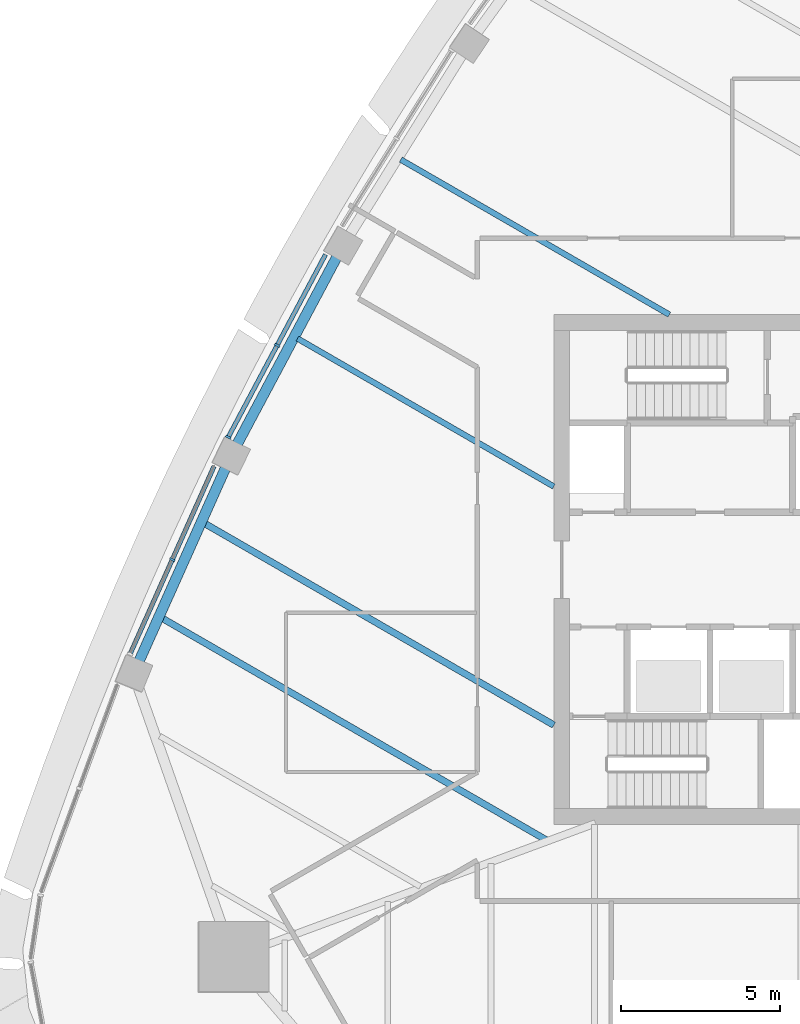
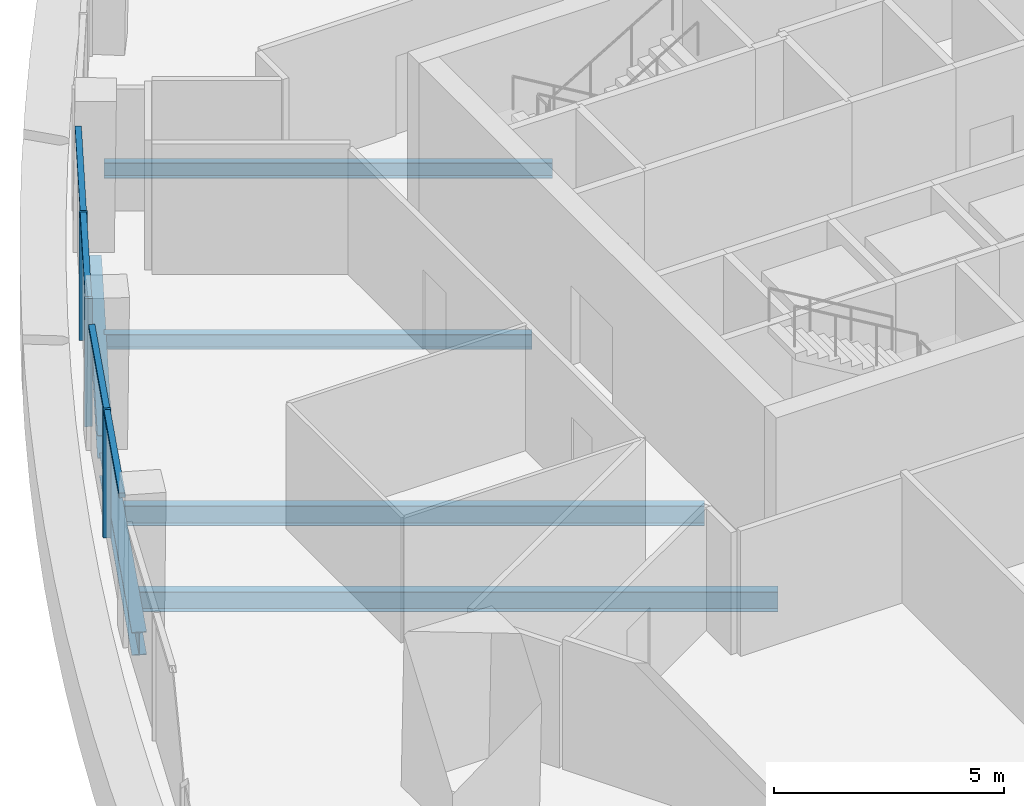
# One storey, part 3 of 20: 7 members, 6 beams, 2 elements without a shape of their own.
"""IFC4 building model written with IfcOpenShell, lengths in metres."""

import ifcopenshell
import ifcopenshell.guid

model = None  # the IFC model being written
_history = None  # IfcOwnerHistory: only IFC2X3 demands one
_inside = {}  # id of a spatial element -> (the spatial element, [elements in it])
_under = {}  # id of a project, library or spatial element -> (it, [spatial elements below it])
_declared = {}  # id of a project -> (the project, [libraries it declares])
_typed = {}  # id of a type object -> (the type object, [elements of that type])
_made_of = {}  # id of a material, layer set ... -> (it, [elements and type objects made of it])


def new_model(schema):
    """Start an empty IFC model of exactly this schema.

    Asked for "IFC4X3", IfcOpenShell would pick the latest addendum, in which some entities
    have other attributes; the version numbers below select the first issue.
    IFC2X3 requires an IfcOwnerHistory on every rooted entity: one is made here for all.
    """
    global model, _history
    if schema == "IFC4X3":
        model = ifcopenshell.file(schema_version=(4, 3, 0, 0))
    else:
        model = ifcopenshell.file(schema=schema)
    _inside.clear()
    _under.clear()
    _declared.clear()
    _typed.clear()
    _made_of.clear()
    _history = None
    if model.schema == "IFC2X3":
        org = make("IfcOrganization", Name="unknown")
        user = make(
            "IfcPersonAndOrganization",
            ThePerson=make("IfcPerson", FamilyName="unknown"),
            TheOrganization=org,
        )
        app = make(
            "IfcApplication",
            ApplicationDeveloper=org,
            Version="unknown",
            ApplicationFullName="unknown",
            ApplicationIdentifier="unknown",
        )
        _history = make(
            "IfcOwnerHistory",
            OwningUser=user,
            OwningApplication=app,
            ChangeAction="ADDED",
            CreationDate=0,
        )
    return model


def make(cls, **values):
    """One entity of the class cls with the attributes given. An attribute that is None is left unset."""
    return model.create_entity(
        cls, **{name: value for name, value in values.items() if value is not None}
    )


def rooted(cls, **values):
    """An entity with a GlobalId (a new one), such as an element, a storey or a relation."""
    return make(cls, GlobalId=ifcopenshell.guid.new(), OwnerHistory=_history, **values)


def si_unit(unit_type, name, prefix=None):
    """IfcSIUnit, for example si_unit("LENGTHUNIT", "METRE", prefix="MILLI")."""
    return make("IfcSIUnit", UnitType=unit_type, Prefix=prefix, Name=name)


def assignment(units):
    """IfcUnitAssignment: the units of a project."""
    return None if units is None else make("IfcUnitAssignment", Units=units)


def point(xyz):
    """IfcCartesianPoint."""
    return None if xyz is None else make("IfcCartesianPoint", Coordinates=xyz)


def direction(xyz):
    """IfcDirection."""
    return None if xyz is None else make("IfcDirection", DirectionRatios=xyz)


def frame(location, z_axis=None, x_axis=None):
    """IfcAxis2Placement3D, a coordinate frame: its origin and axes. An axis left out is left unset."""
    return make(
        "IfcAxis2Placement3D",
        Location=point(location),
        Axis=direction(z_axis),
        RefDirection=direction(x_axis),
    )


def frame_2d(location, x_axis=None):
    """IfcAxis2Placement2D, a coordinate frame in the plane: its origin and x axis."""
    return make(
        "IfcAxis2Placement2D", Location=point(location), RefDirection=direction(x_axis)
    )


def origin():
    """The frame at (0, 0, 0) with its axes left unset."""
    return frame((0.0, 0.0, 0.0))


def origin_2d():
    """The frame at (0, 0) in the plane with its x axis left unset."""
    return frame_2d((0.0, 0.0))


def place(relative_to, where):
    """IfcLocalPlacement: puts the frame where relative to a parent placement (None: the world)."""
    return make(
        "IfcLocalPlacement", PlacementRelTo=relative_to, RelativePlacement=where
    )


def context(
    kind, dimensions, precision=None, world=None, true_north=None, identifier=None
):
    """IfcGeometricRepresentationContext, for example the 3D "Model" context."""
    return make(
        "IfcGeometricRepresentationContext",
        ContextIdentifier=identifier,
        ContextType=kind,
        CoordinateSpaceDimension=dimensions,
        Precision=precision,
        WorldCoordinateSystem=world,
        TrueNorth=true_north,
    )


def subcontext(parent, identifier, kind, view, scale=None):
    """IfcGeometricRepresentationSubContext, for example "Body" below "Model"."""
    return make(
        "IfcGeometricRepresentationSubContext",
        ContextIdentifier=identifier,
        ContextType=kind,
        ParentContext=parent,
        TargetScale=scale,
        TargetView=view,
    )


def project(units=None, contexts=None):
    """IfcProject with its units and contexts."""
    return rooted(
        "IfcProject",
        Name="project",
        RepresentationContexts=contexts,
        UnitsInContext=assignment(units),
    )


def spatial(cls, under=None, at=None, **own):
    """A site, building, storey or space (cls), placed at a placement, below another one or the project."""
    s = rooted(cls, ObjectPlacement=at, **own)
    if under is not None:
        _under.setdefault(under.id(), (under, []))[1].append(s)
    return s


def profile(cls, at=None, kind="AREA", **sizes):
    """A parametric profile (cls). Its sizes go by their IFC names, for example OverallWidth=200.0."""
    return make(cls, ProfileType=kind, Position=at, **sizes)


def rectangle(**sizes):
    """IfcRectangleProfileDef."""
    return profile("IfcRectangleProfileDef", **sizes)


def i_section(**sizes):
    """IfcIShapeProfileDef."""
    return profile("IfcIShapeProfileDef", **sizes)


def extrude(swept, where, along, depth):
    """IfcExtrudedAreaSolid: the profile swept, set in the frame where, extruded along a direction by depth."""
    return make(
        "IfcExtrudedAreaSolid",
        SweptArea=swept,
        Position=where,
        ExtrudedDirection=direction(along),
        Depth=depth,
    )


def shape(context_of_items, identifier, shape_type, items):
    """IfcShapeRepresentation: the items that make up one representation, for example the "Body"."""
    return make(
        "IfcShapeRepresentation",
        ContextOfItems=context_of_items,
        RepresentationIdentifier=identifier,
        RepresentationType=shape_type,
        Items=items,
    )


def material(Name=None, Category=None):
    """IfcMaterial."""
    return make("IfcMaterial", Name=Name, Category=Category)


def layer(
    of_material, thickness, ventilated=None, Name=None, Category=None, Priority=None
):
    """IfcMaterialLayer: one layer of a wall or slab, of a material (None: an air gap)."""
    return make(
        "IfcMaterialLayer",
        Material=of_material,
        LayerThickness=thickness,
        IsVentilated=ventilated,
        Name=Name,
        Category=Category,
        Priority=Priority,
    )


def layer_set(layers, Name=None):
    """IfcMaterialLayerSet."""
    return make("IfcMaterialLayerSet", MaterialLayers=layers, LayerSetName=Name)


def material_profile(
    of_material, cross_section, Name=None, Category=None, Priority=None
):
    """IfcMaterialProfile: a cross section and its material."""
    return make(
        "IfcMaterialProfile",
        Name=Name,
        Material=of_material,
        Profile=cross_section,
        Priority=Priority,
        Category=Category,
    )


def profile_set(profiles, Name=None, composite=None):
    """IfcMaterialProfileSet."""
    return make(
        "IfcMaterialProfileSet",
        Name=Name,
        MaterialProfiles=profiles,
        CompositeProfile=composite,
    )


def made_of(thing, what):
    """Note that an element or type object is made of a material, layer set ...; save() writes the relation."""
    if what is not None:
        _made_of.setdefault(what.id(), (what, []))[1].append(thing)
    return thing


def type_object(cls, material=None, **own):
    """A type object (cls), such as IfcWallType, which elements share."""
    return made_of(rooted(cls, **own), material)


def element(
    cls,
    number,
    at=None,
    inside=None,
    cuts=None,
    type_object=None,
    material=None,
    context=None,
    identifier="Body",
    shape_type=None,
    held_by="IfcProductDefinitionShape",
    body=None,
    shapes=None,
    **own,
):
    """One element of the class cls, such as IfcWall. Its Tag is "e" and its number.

    at: its placement. inside: the storey or other place that contains it. cuts: it is an
    opening in that element (IfcRelVoidsElement). A single representation is given by context,
    identifier, shape_type and body (its items); several are given by shapes. held_by: the class
    of the entity that holds the representations. save() writes the other relations.
    """
    e = rooted(cls, Tag="e%d" % number, ObjectPlacement=at, **own)
    if body is not None:
        shapes = [shape(context, identifier, shape_type, body)]
    if shapes is not None:
        e.Representation = make(held_by, Representations=shapes)
    if inside is not None:
        _inside.setdefault(inside.id(), (inside, []))[1].append(e)
    if cuts is not None:
        rooted(
            "IfcRelVoidsElement", RelatingBuildingElement=cuts, RelatedOpeningElement=e
        )
    if type_object is not None:
        _typed.setdefault(type_object.id(), (type_object, []))[1].append(e)
    return made_of(e, material)


def aggregate(whole, parts):
    """IfcRelAggregates: a whole, such as a stair, and the parts it consists of."""
    return rooted("IfcRelAggregates", RelatingObject=whole, RelatedObjects=parts)


def save(model, path):
    """Write the relations noted so far, then the file.

    IfcRelAggregates (storeys below a building ...), IfcRelContainedInSpatialStructure (elements
    in a storey), IfcRelDefinesByType, IfcRelAssociatesMaterial and IfcRelDeclares: one each for
    every whole, place, type object, material and project.
    """
    for whole, parts in _under.values():
        aggregate(whole, parts)
    for where, things in _inside.values():
        rooted(
            "IfcRelContainedInSpatialStructure",
            RelatedElements=things,
            RelatingStructure=where,
        )
    for kind, things in _typed.values():
        rooted("IfcRelDefinesByType", RelatedObjects=things, RelatingType=kind)
    for what, things in _made_of.values():
        rooted("IfcRelAssociatesMaterial", RelatedObjects=things, RelatingMaterial=what)
    for by, libraries in _declared.values():
        rooted("IfcRelDeclares", RelatingContext=by, RelatedDefinitions=libraries)
    model.write(path)


model = new_model("IFC4")

# Units and contexts
model_context = context("Model", 3, precision=1e-05, world=origin(), true_north=direction((0.0, 1.0)))
body_context = subcontext(model_context, "Body", "Model", "MODEL_VIEW")
ifc_project = project(units=[si_unit("LENGTHUNIT", "METRE"), si_unit("AREAUNIT", "SQUARE_METRE"), si_unit("VOLUMEUNIT", "CUBIC_METRE"), si_unit("PLANEANGLEUNIT", "RADIAN"), si_unit("MASSUNIT", "GRAM", prefix="KILO")], contexts=[model_context])

# Site, building, storey
site_placement = place(None, origin())
site = spatial("IfcSite", under=ifc_project, at=site_placement, CompositionType="ELEMENT")
building_placement = place(site_placement, origin())
building = spatial("IfcBuilding", under=site, at=building_placement, Name="Sierra Prisma Convention Tower", CompositionType="ELEMENT")
storey_placement = place(building_placement, frame((0.0, 0.0, 275.0)))
storey = spatial("IfcBuildingStorey", under=building, at=storey_placement, Name="L62", CompositionType="ELEMENT", Elevation=275.0)

# Curtain wall, members
ifc_material_1 = material(Name="Aluminium and glass curtain wall", Category="aluminium")
ifc_layer = layer(ifc_material_1, 0.179931640625)
ifc_layer_set = layer_set([ifc_layer], Name="CW-1 Plain shaft curtain wall")
curtain_wall_type = type_object("IfcCurtainWallType", Name="CW-1 Plain shaft curtain wall", PredefinedType="NOTDEFINED", material=ifc_layer_set)
curtain_wall_1_placement = place(storey_placement, origin())
curtain_wall_1 = element("IfcCurtainWall", 1, at=curtain_wall_1_placement, inside=storey, type_object=curtain_wall_type, Name="CW-1 NW4 L62", PredefinedType="NOTDEFINED")
ifc_material_2 = material(Name="Aluminium 6063-T6 bronze anodised", Category="aluminium")
ifc_material_profile_1 = material_profile(ifc_material_2, rectangle(XDim=0.179931640625, YDim=0.070068359375, at=origin_2d()), Name="ALU MULLION 70x180")
ifc_profile_set_1 = profile_set([ifc_material_profile_1], Name="Aluminium 6063-T6 bronze anodised")
member_type_1 = type_object("IfcMemberType", Name="CW mullion bronze", PredefinedType="MULLION", material=ifc_profile_set_1)
member_1_placement = place(storey_placement, frame((-19.67919921875, 7.037353515625, 0.0), z_axis=(0.0, 0.0, 1.0), x_axis=(0.882675282749, -0.469983345688, 0.0)))
member_1 = element("IfcMember", 2, at=member_1_placement, type_object=member_type_1, Name="CW-1 mullion NW4.2", PredefinedType="MULLION", context=body_context, shape_type="SweptSolid", body=[
    extrude(rectangle(XDim=0.179931640625, YDim=0.070068359375, at=origin_2d()), origin(), (0.0, 0.0, 1.0), 3.39990234375),
])
member_2_placement = place(storey_placement, frame((-21.21240234375, 4.157958984375, 0.0), z_axis=(0.0, 0.0, 1.0), x_axis=(0.882675282749, -0.469983345688, 0.0)))
member_2 = element("IfcMember", 3, at=member_2_placement, type_object=member_type_1, Name="CW-1 mullion NW4.3", PredefinedType="MULLION", context=body_context, shape_type="SweptSolid", body=[
    extrude(rectangle(XDim=0.179931640625, YDim=0.070068359375, at=origin_2d()), origin(), (0.0, 0.0, 1.0), 3.39990234375),
])

# Curtain wall, member
curtain_wall_2_placement = place(storey_placement, origin())
curtain_wall_2 = element("IfcCurtainWall", 4, at=curtain_wall_2_placement, inside=storey, type_object=curtain_wall_type, Name="CW-1 NW5 L62", PredefinedType="NOTDEFINED")
member_3_placement = place(storey_placement, frame((-22.9697265625, 0.31298828125, 0.0), z_axis=(0.0, 0.0, 1.0), x_axis=(0.912836697078, -0.408324827151, 0.0)))
member_3 = element("IfcMember", 5, at=member_3_placement, type_object=member_type_1, Name="CW-1 mullion NW5.2", PredefinedType="MULLION", context=body_context, shape_type="SweptSolid", body=[
    extrude(rectangle(XDim=0.179931640625, YDim=0.070068359375, at=origin_2d()), origin(), (0.0, 0.0, 1.0), 3.39990234375),
])

# Member
ifc_material_3 = material(Name="Aluminium 6063-T6 bronze anodised", Category="aluminium")
ifc_material_profile_2 = material_profile(ifc_material_3, rectangle(XDim=0.139892578125, YDim=0.1201171875, at=origin_2d()), Name="ALU TRANSOM 120x140")
ifc_profile_set_2 = profile_set([ifc_material_profile_2], Name="Aluminium 6063-T6 bronze anodised")
member_type_2 = type_object("IfcMemberType", Name="CW transom bronze", PredefinedType="USERDEFINED", material=ifc_profile_set_2)
member_4_placement = place(storey_placement, frame((-18.162353515625, 9.885986328125, 3.340087890625), z_axis=(-0.470040353355, -0.882644926467, 0.0), x_axis=(0.882644926467, -0.470040353355, 0.0)))
member_4 = element("IfcMember", 6, at=member_4_placement, type_object=member_type_2, Name="CW-1 transom NW4.1", ObjectType="TRANSOM", PredefinedType="USERDEFINED", context=body_context, shape_type="SweptSolid", body=[
    extrude(rectangle(XDim=0.139892578125, YDim=0.1201171875, at=origin_2d()), origin(), (0.0, 0.0, 1.0), 3.192138671875),
])

member_5_placement = place(storey_placement, frame((-19.695556640625, 7.006591796875, 3.340087890625), z_axis=(-0.470008625654, -0.882661821884, 0.0), x_axis=(0.882661821884, -0.470008625654, 0.0)))
member_5 = element("IfcMember", 7, at=member_5_placement, type_object=member_type_2, Name="CW-1 transom NW4.2", ObjectType="TRANSOM", PredefinedType="USERDEFINED", context=body_context, shape_type="SweptSolid", body=[
    extrude(rectangle(XDim=0.139892578125, YDim=0.1201171875, at=origin_2d()), origin(), (0.0, 0.0, 1.0), 3.1923828125),
])

aggregate(curtain_wall_1, [member_1, member_2, member_4, member_5])

member_6_placement = place(storey_placement, frame((-21.658447265625, 3.244384765625, 3.340087890625), z_axis=(-0.408305383487, -0.912845394257, 0.0), x_axis=(0.912845394257, -0.408305383487, 0.0)))
member_6 = element("IfcMember", 8, at=member_6_placement, type_object=member_type_2, Name="CW-1 transom NW5.1", ObjectType="TRANSOM", PredefinedType="USERDEFINED", context=body_context, shape_type="SweptSolid", body=[
    extrude(rectangle(XDim=0.139892578125, YDim=0.1201171875, at=origin_2d()), origin(), (0.0, 0.0, 1.0), 3.17626953125),
])

member_7_placement = place(storey_placement, frame((-22.98388671875, 0.281005859375, 3.340087890625), z_axis=(-0.40836943082, -0.912816743915, 0.0), x_axis=(0.912816743915, -0.40836943082, 0.0)))
member_7 = element("IfcMember", 9, at=member_7_placement, type_object=member_type_2, Name="CW-1 transom NW5.2", ObjectType="TRANSOM", PredefinedType="USERDEFINED", context=body_context, shape_type="SweptSolid", body=[
    extrude(rectangle(XDim=0.139892578125, YDim=0.1201171875, at=origin_2d()), origin(), (0.0, 0.0, 1.0), 3.17626953125),
])

aggregate(curtain_wall_2, [member_3, member_6, member_7])

# Beams
ifc_material_4 = material(Name="Steel ASTM A992 Gr 50", Category="steel")
ifc_material_profile_3 = material_profile(ifc_material_4, i_section(OverallWidth=0.177978515625, OverallDepth=0.406982421875, WebThickness=0.0078125, FlangeThickness=0.0126953125, at=origin_2d()), Name="W410x60")
ifc_profile_set_3 = profile_set([ifc_material_profile_3], Name="Steel ASTM A992 Gr 50")
beam_type_1 = type_object("IfcBeamType", Name="Floor joist W410x60", PredefinedType="JOIST", material=ifc_profile_set_3)
beam_1_placement = place(storey_placement, frame((-15.800537109375, 12.864990234375, -0.353515625), z_axis=(0.866021787753, -0.500006263098, 0.0), x_axis=(0.500006263098, 0.866021787753, 0.0)))
element("IfcBeam", 10, at=beam_1_placement, inside=storey, type_object=beam_type_1, Name="Floor joist L62 NW06", PredefinedType="JOIST", context=body_context, shape_type="SweptSolid", body=[
    extrude(i_section(OverallWidth=0.177978515625, OverallDepth=0.406982421875, WebThickness=0.0078125, FlangeThickness=0.0126953125, at=origin_2d()), origin(), (0.0, 0.0, 1.0), 9.72998046875),
])
beam_2_placement = place(storey_placement, frame((-19.04150390625, 7.251220703125, -0.353515625), z_axis=(0.866022707425, -0.500004670202, 0.0), x_axis=(0.500004670202, 0.866022707425, 0.0)))
element("IfcBeam", 11, at=beam_2_placement, inside=storey, type_object=beam_type_1, Name="Floor joist L62 NW08", PredefinedType="JOIST", context=body_context, shape_type="SweptSolid", body=[
    extrude(i_section(OverallWidth=0.177978515625, OverallDepth=0.406982421875, WebThickness=0.0078125, FlangeThickness=0.0126953125, at=origin_2d()), origin(), (0.0, 0.0, 1.0), 9.28564453125),
])
ifc_material_5 = material(Name="Steel ASTM A992 Gr 50", Category="steel")
ifc_material_profile_4 = material_profile(ifc_material_5, i_section(OverallWidth=0.208984375, OverallDepth=0.532958984375, WebThickness=0.01025390625, FlangeThickness=0.015625, at=origin_2d()), Name="W530x92")
ifc_profile_set_4 = profile_set([ifc_material_profile_4], Name="Steel ASTM A992 Gr 50")
beam_type_2 = type_object("IfcBeamType", Name="Floor joist W530x92", PredefinedType="JOIST", material=ifc_profile_set_4)
beam_3_placement = place(storey_placement, frame((-21.955078125, 1.448486328125, -0.41650390625), z_axis=(0.866024244478, -0.500002007972, 0.0), x_axis=(0.500002007972, 0.866024244478, 0.0)))
element("IfcBeam", 12, at=beam_3_placement, inside=storey, type_object=beam_type_2, Name="Floor joist L62 NW10", PredefinedType="JOIST", context=body_context, shape_type="SweptSolid", body=[
    extrude(i_section(OverallWidth=0.208984375, OverallDepth=0.532958984375, WebThickness=0.01025390625, FlangeThickness=0.015625, at=origin_2d()), origin(), (0.0, 0.0, 1.0), 12.64990234375),
])
beam_4_placement = place(storey_placement, frame((-23.285400390625, -1.52587890625, -0.41650390625), z_axis=(0.866027195458, -0.499996896717, 0.0), x_axis=(0.499996896717, 0.866027195458, 0.0)))
element("IfcBeam", 13, at=beam_4_placement, inside=storey, type_object=beam_type_2, Name="Floor joist L62 NW11", PredefinedType="JOIST", context=body_context, shape_type="SweptSolid", body=[
    extrude(i_section(OverallWidth=0.208984375, OverallDepth=0.532958984375, WebThickness=0.01025390625, FlangeThickness=0.015625, at=origin_2d()), origin(), (0.0, 0.0, 1.0), 13.912109375),
])
ifc_material_6 = material(Name="Steel ASTM A992 Gr 50", Category="steel")
ifc_material_profile_5 = material_profile(ifc_material_6, i_section(OverallWidth=0.324951171875, OverallDepth=0.615966796875, WebThickness=0.013916015625, FlangeThickness=0.021484375, at=origin_2d()), Name="W610x174")
ifc_profile_set_5 = profile_set([ifc_material_profile_5], Name="Steel ASTM A992 Gr 50")
beam_type_3 = type_object("IfcBeamType", Name="Spandrel beam W610x174", PredefinedType="BEAM", material=ifc_profile_set_5)
beam_5_placement = place(storey_placement, frame((-17.770263671875, 9.87841796875, -0.4580078125), z_axis=(-0.469971423012, -0.882681630914, 0.0), x_axis=(0.882681630914, -0.469971423012, 0.0)))
element("IfcBeam", 14, at=beam_5_placement, inside=storey, type_object=beam_type_3, Name="Spandrel L62-16", PredefinedType="BEAM", context=body_context, shape_type="SweptSolid", body=[
    extrude(i_section(OverallWidth=0.324951171875, OverallDepth=0.615966796875, WebThickness=0.013916015625, FlangeThickness=0.021484375, at=origin_2d()), origin(), (0.0, 0.0, 1.0), 6.82177734375),
])
beam_6_placement = place(storey_placement, frame((-21.266357421875, 3.263916015625, -0.4580078125), z_axis=(-0.40835193566, -0.912824570574, 0.0), x_axis=(0.912824570574, -0.40835193566, 0.0)))
element("IfcBeam", 15, at=beam_6_placement, inside=storey, type_object=beam_type_3, Name="Spandrel L62-17", PredefinedType="BEAM", context=body_context, shape_type="SweptSolid", body=[
    extrude(i_section(OverallWidth=0.324951171875, OverallDepth=0.615966796875, WebThickness=0.013916015625, FlangeThickness=0.021484375, at=origin_2d()), origin(), (0.0, 0.0, 1.0), 6.822265625),
])

save(model, "model.ifc")
